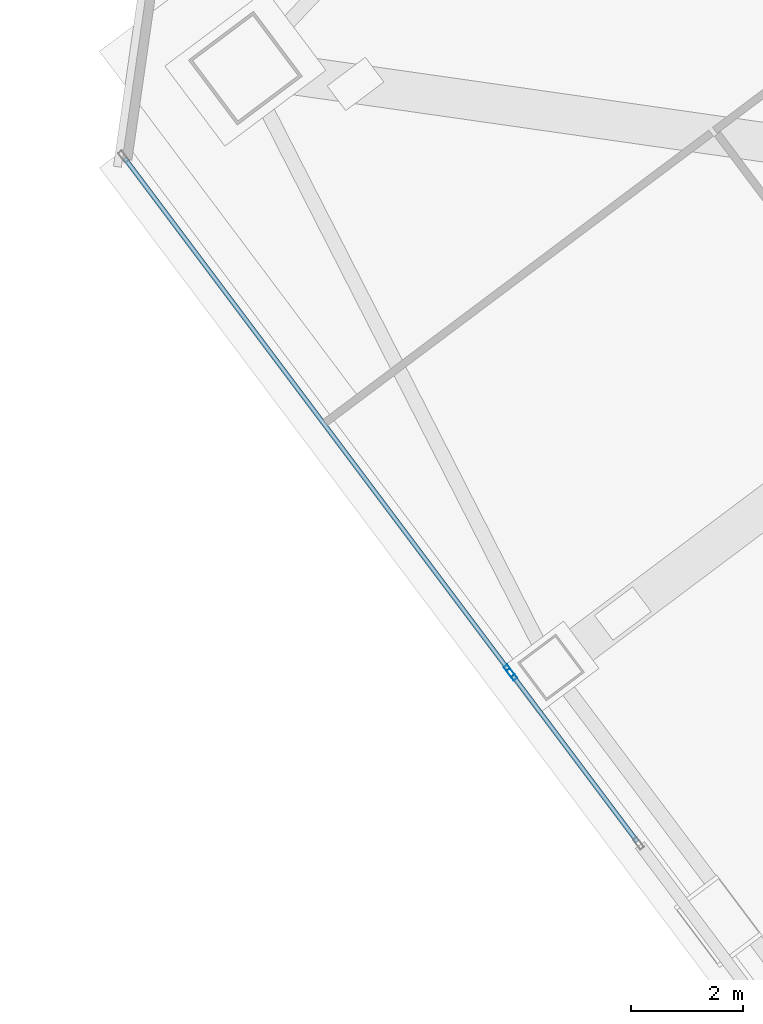
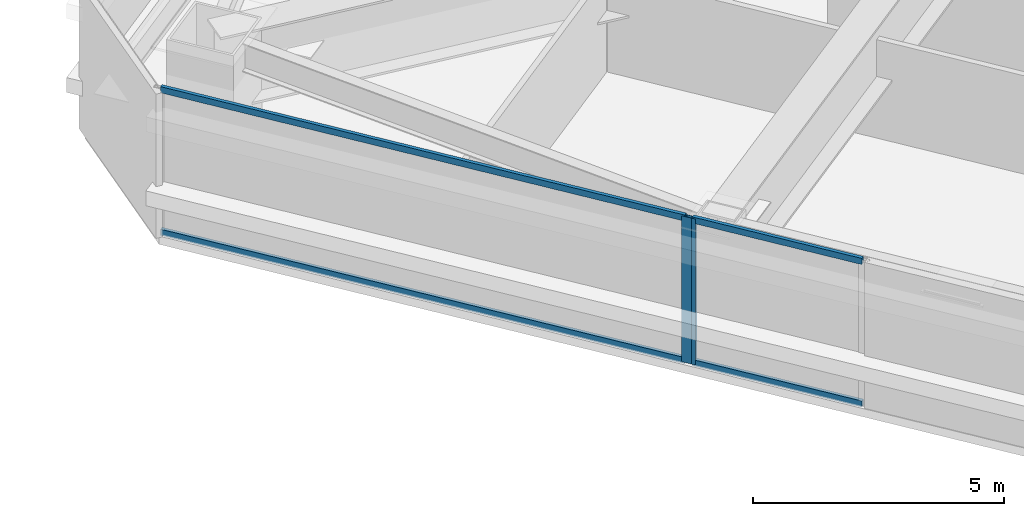
# One storey, part 21 of 49: 6 members, 2 elements without a shape of their own.
"""IFC4 building model written with IfcOpenShell, lengths in metres."""

from ifc_helpers import new_model, si_unit, direction, frame, origin, origin_2d, place, context, subcontext, project, spatial, hollow_rectangle, extrude, material, material_profile, profile_set, type_object, element, aggregate, save


model = new_model("IFC4")

# Units and contexts
model_context = context("Model", 3, precision=1e-05, world=origin(), true_north=direction((0.0, 1.0)))
body_context = subcontext(model_context, "Body", "Model", "MODEL_VIEW")
ifc_project = project(units=[si_unit("LENGTHUNIT", "METRE"), si_unit("AREAUNIT", "SQUARE_METRE"), si_unit("VOLUMEUNIT", "CUBIC_METRE"), si_unit("PLANEANGLEUNIT", "RADIAN"), si_unit("MASSUNIT", "GRAM", prefix="KILO")], contexts=[model_context])

# Site, building, storey
site_placement = place(None, origin())
site = spatial("IfcSite", under=ifc_project, at=site_placement, CompositionType="ELEMENT")
building_placement = place(site_placement, origin())
building = spatial("IfcBuilding", under=site, at=building_placement, Name="Tashvorn Skyway Center", CompositionType="ELEMENT")
storey_placement = place(building_placement, frame((0.0, 0.0, 106.25)))
storey = spatial("IfcBuildingStorey", under=building, at=storey_placement, Name="L28", CompositionType="ELEMENT", Elevation=106.25)

# Curtain wall, member
ifc_material = material(Name="Thermally broken bronze-anodized aluminium 6063-T6", Category="aluminium")
curtain_wall_type = type_object("IfcCurtainWallType", Name="CW-CW-Z2", PredefinedType="NOTDEFINED", material=ifc_material)
curtain_wall_1_placement = place(storey_placement, origin())
curtain_wall_1 = element("IfcCurtainWall", 1, at=curtain_wall_1_placement, inside=storey, type_object=curtain_wall_type, Name="Tower 2 L28 West Unitised Curtain Wall Glazing Group 3", PredefinedType="NOTDEFINED")
ifc_material_profile_1 = material_profile(ifc_material, hollow_rectangle(XDim=0.080078125, YDim=0.219970703125, WallThickness=0.0048828125, at=origin_2d()), Name="ALU-MULL-80x220")
ifc_profile_set_1 = profile_set([ifc_material_profile_1], Name="Thermally broken bronze-anodized aluminium 6063-T6")
member_type_1 = type_object("IfcMemberType", Name="CWM-CW-Z2", PredefinedType="MULLION", material=ifc_profile_set_1)
member_1_placement = place(storey_placement, frame((94.6640625, 24.64794921875, 0.0), z_axis=(0.0, 0.0, 1.0), x_axis=(-0.799999999998, -0.600000000002, 0.0)))
member_1 = element("IfcMember", 2, at=member_1_placement, type_object=member_type_1, Name="CW-Z2 mullion 2", PredefinedType="MULLION", context=body_context, shape_type="SweptSolid", body=[
    extrude(hollow_rectangle(XDim=0.080078125, YDim=0.219970703125, WallThickness=0.0048828125, at=origin_2d()), origin(), (0.0, 0.0, 1.0), 3.550048828125),
])

curtain_wall_2_placement = place(storey_placement, origin())
curtain_wall_2 = element("IfcCurtainWall", 3, at=curtain_wall_2_placement, inside=storey, type_object=curtain_wall_type, Name="Tower 2 L28 West Unitised Curtain Wall Glazing Group 4", PredefinedType="NOTDEFINED")
member_2_placement = place(storey_placement, frame((94.615966796875, 24.7119140625, 0.0), z_axis=(0.0, 0.0, 1.0), x_axis=(-0.799999999998, -0.600000000002, 0.0)))
member_2 = element("IfcMember", 4, at=member_2_placement, type_object=member_type_1, Name="CW-Z2 mullion 1", PredefinedType="MULLION", context=body_context, shape_type="SweptSolid", body=[
    extrude(hollow_rectangle(XDim=0.080078125, YDim=0.219970703125, WallThickness=0.0048828125, at=origin_2d()), origin(), (0.0, 0.0, 1.0), 3.550048828125),
])

# Member
ifc_material_profile_2 = material_profile(ifc_material, hollow_rectangle(XDim=0.080078125, YDim=0.14990234375, WallThickness=0.00439453125, at=origin_2d()), Name="ALU-TRAN-80x150")
ifc_profile_set_2 = profile_set([ifc_material_profile_2], Name="Thermally broken bronze-anodized aluminium 6063-T6")
member_type_2 = type_object("IfcMemberType", Name="CWT-CW-Z2", PredefinedType="USERDEFINED", material=ifc_profile_set_2)
member_3_placement = place(storey_placement, frame((96.89599609375, 21.672119140625, 0.0400390625), z_axis=(-0.600021230084, 0.799984076997, 0.0), x_axis=(-0.799984076997, -0.600021230084, 0.0)))
member_3 = element("IfcMember", 5, at=member_3_placement, type_object=member_type_2, Name="CW-Z2 transom 1.1", ObjectType="TRANSOM", PredefinedType="USERDEFINED", context=body_context, shape_type="SweptSolid", body=[
    extrude(hollow_rectangle(XDim=0.080078125, YDim=0.14990234375, WallThickness=0.00439453125, at=origin_2d()), origin(), (0.0, 0.0, 1.0), 3.679931640625),
])

member_4_placement = place(storey_placement, frame((96.89599609375, 21.672119140625, 3.510009765625), z_axis=(-0.600021230084, 0.799984076997, 0.0), x_axis=(-0.799984076997, -0.600021230084, 0.0)))
member_4 = element("IfcMember", 6, at=member_4_placement, type_object=member_type_2, Name="CW-Z2 transom 1.2", ObjectType="TRANSOM", PredefinedType="USERDEFINED", context=body_context, shape_type="SweptSolid", body=[
    extrude(hollow_rectangle(XDim=0.080078125, YDim=0.14990234375, WallThickness=0.00439453125, at=origin_2d()), origin(), (0.0, 0.0, 1.0), 3.679931640625),
])

aggregate(curtain_wall_1, [member_1, member_3, member_4])

member_5_placement = place(storey_placement, frame((94.592041015625, 24.743896484375, 0.0400390625), z_axis=(-0.600003438533, 0.799997421089, 0.0), x_axis=(-0.799997421089, -0.600003438533, 0.0)))
member_5 = element("IfcMember", 7, at=member_5_placement, type_object=member_type_2, Name="CW-Z2 transom 1.1", ObjectType="TRANSOM", PredefinedType="USERDEFINED", context=body_context, shape_type="SweptSolid", body=[
    extrude(hollow_rectangle(XDim=0.080078125, YDim=0.14990234375, WallThickness=0.00439453125, at=origin_2d()), origin(), (0.0, 0.0, 1.0), 11.360107421875),
])

member_6_placement = place(storey_placement, frame((94.592041015625, 24.743896484375, 3.510009765625), z_axis=(-0.600003438533, 0.799997421089, 0.0), x_axis=(-0.799997421089, -0.600003438533, 0.0)))
member_6 = element("IfcMember", 8, at=member_6_placement, type_object=member_type_2, Name="CW-Z2 transom 1.2", ObjectType="TRANSOM", PredefinedType="USERDEFINED", context=body_context, shape_type="SweptSolid", body=[
    extrude(hollow_rectangle(XDim=0.080078125, YDim=0.14990234375, WallThickness=0.00439453125, at=origin_2d()), origin(), (0.0, 0.0, 1.0), 11.360107421875),
])

aggregate(curtain_wall_2, [member_2, member_5, member_6])

save(model, "model.ifc")
